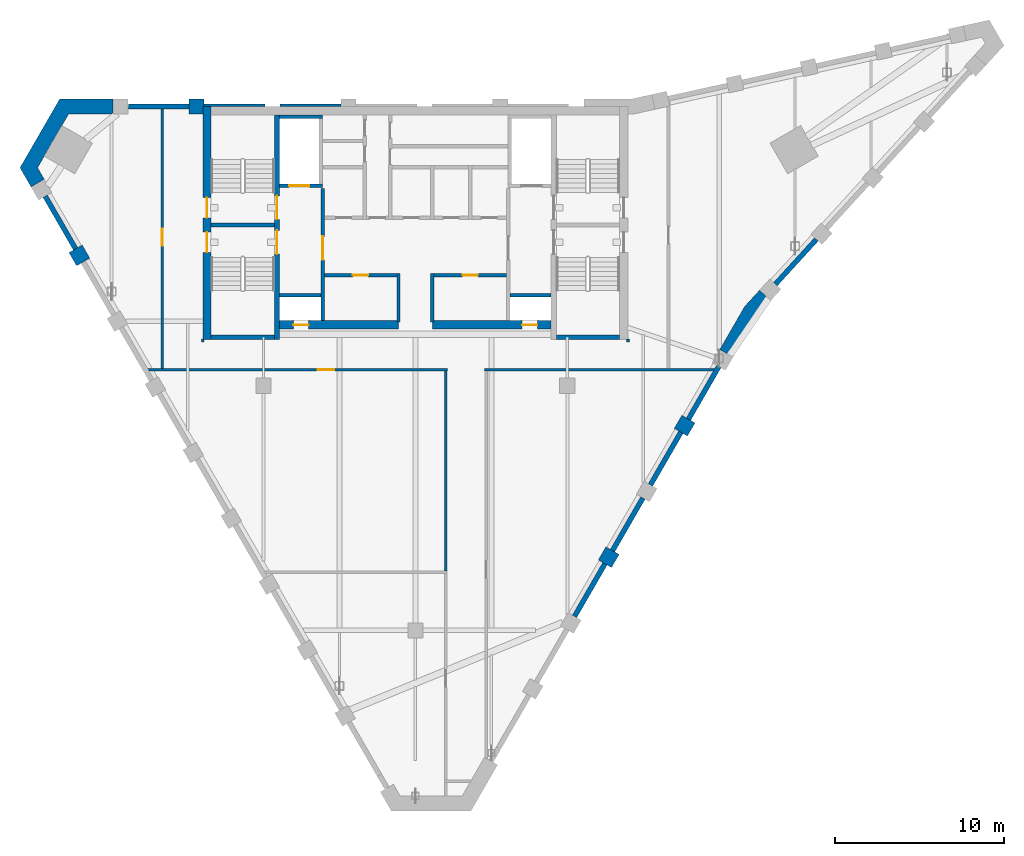
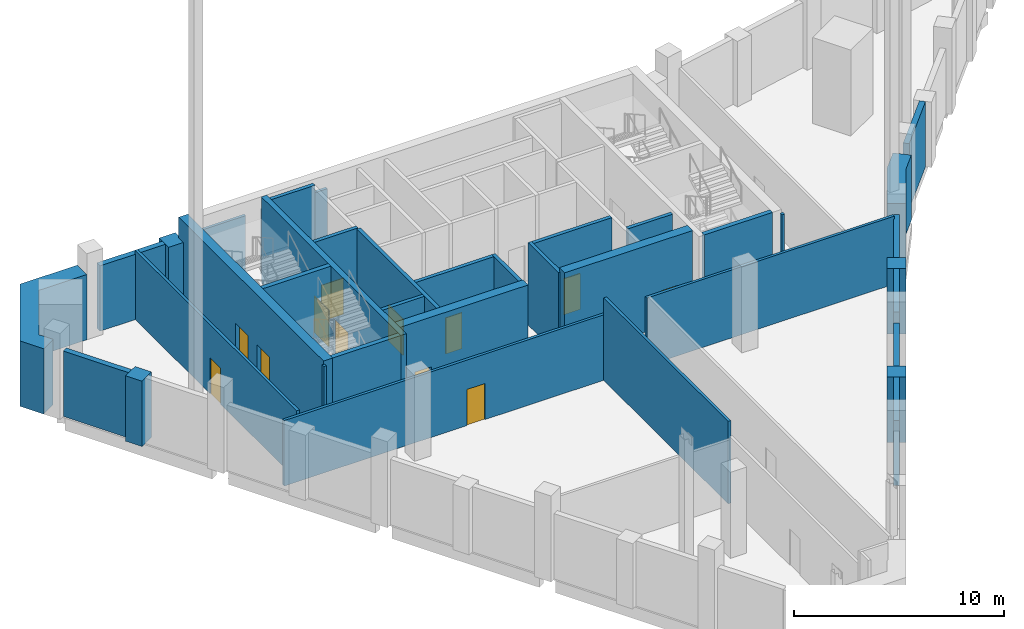
# One storey, part 5 of 11: 37 walls, 12 doors, 12 openings.
"""IFC4 building model written with IfcOpenShell, lengths in metres."""

from ifc_helpers import new_model, si_unit, direction, frame, frame_2d, origin, place, context, subcontext, project, spatial, polyline, rectangle, outline, extrude, material, layer, layer_set, type_object, element, fill, save


model = new_model("IFC4")

# Units and contexts
model_context = context("Model", 3, precision=1e-05, world=origin(), true_north=direction((0.0, 1.0)))
body_context = subcontext(model_context, "Body", "Model", "MODEL_VIEW")
ifc_project = project(units=[si_unit("LENGTHUNIT", "METRE"), si_unit("AREAUNIT", "SQUARE_METRE"), si_unit("VOLUMEUNIT", "CUBIC_METRE"), si_unit("PLANEANGLEUNIT", "RADIAN"), si_unit("MASSUNIT", "GRAM", prefix="KILO")], contexts=[model_context])

# Site, building, storey
site_placement = place(None, origin())
site = spatial("IfcSite", under=ifc_project, at=site_placement, CompositionType="ELEMENT")
building_placement = place(site_placement, origin())
building = spatial("IfcBuilding", under=site, at=building_placement, Name="Calabash Gate Tower", CompositionType="ELEMENT")
storey_placement = place(building_placement, frame((0.0, 0.0, 310.5)))
storey = spatial("IfcBuildingStorey", under=building, at=storey_placement, Name="L73", CompositionType="ELEMENT", Elevation=310.5)

# Walls
ifc_material_1 = material(Name="Terracotta brick masonry, exposed face", Category="masonry")
ifc_layer_1 = layer(ifc_material_1, 0.89990234375)
ifc_layer_set_1 = layer_set([ifc_layer_1], Name="Brick end wall 900")
wall_type_1 = type_object("IfcWallType", Name="Brick end wall 900", PredefinedType="SOLIDWALL", material=ifc_layer_set_1)
wall_1_placement = place(storey_placement, frame((-20.301513671875, 9.998046875, 0.0), z_axis=(0.0, 0.0, 1.0), x_axis=(0.866013897511, 0.50001992892, 0.0)))
element("IfcWall", 1, at=wall_1_placement, inside=storey, type_object=wall_type_1, Name="Brick pier L73 crown1.1", PredefinedType="SOLIDWALL", context=body_context, shape_type="SweptSolid", body=[
    extrude(rectangle(XDim=0.89990234375, YDim=0.89990234375, at=frame_2d((0.449951171875, 0.0))), origin(), (0.0, 0.0, 1.0), 3.800048828125),
])
for number, where, z_axis, x_axis, name in (
    (2, (11.068115234375, -7.436767578125, 0.0), (0.0, 0.0, 1.0), (0.866081705922, -0.499902469156, 0.0), "Brick pier L73 crown3.3"),
    (3, (15.568115234375, 0.357421875, 0.0), (0.0, 0.0, 1.0), (0.866081705922, -0.499902469156, 0.0), "Brick pier L73 crown3.5"),
):
    element("IfcWall", number, at=place(storey_placement, frame(where, z_axis=z_axis, x_axis=x_axis)), inside=storey, type_object=wall_type_1, Name=name, PredefinedType="SOLIDWALL", context=body_context, shape_type="SweptSolid", body=[
        extrude(rectangle(XDim=0.900146484375, YDim=0.89990234375, at=frame_2d((0.4501953125, 0.0))), origin(), (0.0, 0.0, 1.0), 3.800048828125),
    ])
wall_2_placement = place(storey_placement, origin())
element("IfcWall", 4, at=wall_2_placement, inside=storey, type_object=wall_type_1, Name="Brick pier L73 crown7.5", PredefinedType="SOLIDWALL", context=body_context, shape_type="SweptSolid", body=[
    extrude(outline(polyline([(-13.415771484375, 19.50244140625), (-13.415771484375, 18.6025390625), (-12.60009765625, 18.6025390625), (-12.60009765625, 19.052490234375), (-12.515625, 19.052490234375), (-12.515625, 19.50244140625), (-13.415771484375, 19.50244140625)])), origin(), (0.0, 0.0, 1.0), 3.800048828125),
])
wall_3_placement = place(storey_placement, origin())
element("IfcWall", 5, at=wall_3_placement, inside=storey, type_object=wall_type_1, Name="Brick end wall L73 2", PredefinedType="SOLIDWALL", context=body_context, shape_type="SweptSolid", body=[
    extrude(outline(polyline([(18.822509765625, 4.1943359375), (18.822509765625, 4.1943359375), (20.24658203125, 6.66064453125), (21.058837890625, 7.548828125), (20.394775390625, 8.15625), (19.516357421875, 7.19580078125), (18.04345703125, 4.64453125), (18.82275390625, 4.19482421875), (18.822509765625, 4.1943359375)])), origin(), (0.0, 0.0, 1.0), 3.800048828125),
])
wall_4_placement = place(storey_placement, origin())
element("IfcWall", 6, at=wall_4_placement, inside=storey, type_object=wall_type_1, Name="Brick end wall L73 5", PredefinedType="SOLIDWALL", context=body_context, shape_type="SweptSolid", body=[
    extrude(outline(polyline([(-17.915771484375, 18.6025390625), (-17.916015625, 19.50244140625), (-21.072509765625, 19.50244140625), (-23.430908203125, 15.41796875), (-22.776611328125, 14.28466796875), (-21.9970703125, 14.73486328125), (-22.3916015625, 15.41796875), (-20.552978515625, 18.6025390625), (-17.915771484375, 18.6025390625)])), origin(), (0.0, 0.0, 1.0), 3.800048828125),
])
ifc_material_2 = material(Name="Gypsum board on steel studs, mineral wool", Category="steel")
ifc_layer_2 = layer(ifc_material_2, 0.199951171875)
ifc_layer_set_2 = layer_set([ifc_layer_2], Name="Core partition 200 gypsum board")
wall_type_2 = type_object("IfcWallType", Name="Core partition 200 gypsum board", PredefinedType="PARTITIONING", material=ifc_layer_set_2)
for number, where, z_axis, x_axis, name in (
    (7, (-1.0, 6.272705078125, 0.0), (0.0, 0.0, 1.0), (0.0, 1.0, 0.0), "Core partition"),
    (8, (1.0, 6.272705078125, 0.0), (0.0, 0.0, 1.0), (0.0, 1.0, 0.0), "Core partition"),
):
    element("IfcWall", number, at=place(storey_placement, frame(where, z_axis=z_axis, x_axis=x_axis)), inside=storey, type_object=wall_type_2, Name=name, PredefinedType="PARTITIONING", context=body_context, shape_type="SweptSolid", body=[
        extrude(rectangle(XDim=2.8798828125, YDim=0.199951171875, at=frame_2d((1.43994140625, 0.0))), origin(), (0.0, 0.0, 1.0), 4.800048828125),
    ])

# Wall, opening, door
wall_5_placement = place(storey_placement, frame((-5.39990234375, 9.052490234375, 0.0), z_axis=(0.0, 0.0, 1.0), x_axis=(1.0, 0.0, 0.0)))
wall_5 = element("IfcWall", 9, at=wall_5_placement, inside=storey, type_object=wall_type_2, Name="Core partition", PredefinedType="PARTITIONING", context=body_context, shape_type="SweptSolid", body=[
    extrude(rectangle(XDim=4.2998046875, YDim=0.199951171875, at=frame_2d((2.14990234375, 0.0))), origin(), (0.0, 0.0, 1.0), 4.800048828125),
])
opening_1_placement = place(wall_5_placement, frame((1.699951171875, 0.0, 0.0)))
opening_1 = element("IfcOpeningElement", 10, at=opening_1_placement, cuts=wall_5, Name="Opening L73-016", PredefinedType="OPENING", context=body_context, shape_type="SweptSolid", body=[
    extrude(rectangle(XDim=0.89990234375, YDim=2.10009765625, at=frame_2d((0.449951171875, 1.050048828125))), frame((0.0, 0.10986328125, 0.0), z_axis=(0.0, -1.0, 0.0), x_axis=(1.0, 0.0, 0.0)), (0.0, 0.0, 1.0), 0.219970703125),
])
ifc_material_3 = material(Name="Steel fire door set with fire-resisting glazing", Category="steel")
door_type_1 = type_object("IfcDoorType", Name="Fire door D06 900x2100 FD60", OperationType="NOTDEFINED", PredefinedType="DOOR", material=ifc_material_3)
door_1_placement = place(opening_1_placement, origin())
door_1 = element("IfcDoor", 11, at=door_1_placement, inside=storey, type_object=door_type_1, Name="Plant Spares Store door", OperationType="SINGLE_SWING_RIGHT", OverallHeight=2.10009765625, OverallWidth=0.89990234375, PredefinedType="DOOR", context=body_context, shape_type="SweptSolid", body=[
    extrude(rectangle(XDim=0.89990234375, YDim=2.10009765625, at=frame_2d((0.449951171875, 1.050048828125))), frame((0.0, 0.02490234375, 0.0), z_axis=(0.0, -1.0, 0.0), x_axis=(1.0, 0.0, 0.0)), (0.0, 0.0, 1.0), 0.050048828125),
])
fill(opening_1, door_1)

wall_6_placement = place(storey_placement, frame((1.10009765625, 9.052490234375, 0.0), z_axis=(0.0, 0.0, 1.0), x_axis=(1.0, 0.0, 0.0)))
wall_6 = element("IfcWall", 12, at=wall_6_placement, inside=storey, type_object=wall_type_2, Name="Core partition", PredefinedType="PARTITIONING", context=body_context, shape_type="SweptSolid", body=[
    extrude(rectangle(XDim=4.2998046875, YDim=0.199951171875, at=frame_2d((2.14990234375, 0.0))), origin(), (0.0, 0.0, 1.0), 4.800048828125),
])
opening_2_placement = place(wall_6_placement, frame((1.699951171875, 0.0, 0.0)))
opening_2 = element("IfcOpeningElement", 13, at=opening_2_placement, cuts=wall_6, Name="Opening L73-017", PredefinedType="OPENING", context=body_context, shape_type="SweptSolid", body=[
    extrude(rectangle(XDim=0.89990234375, YDim=2.10009765625, at=frame_2d((0.449951171875, 1.050048828125))), frame((0.0, 0.10986328125, 0.0), z_axis=(0.0, -1.0, 0.0), x_axis=(1.0, 0.0, 0.0)), (0.0, 0.0, 1.0), 0.219970703125),
])
door_2_placement = place(opening_2_placement, origin())
door_2 = element("IfcDoor", 14, at=door_2_placement, inside=storey, type_object=door_type_1, Name="Plant Control Room door", OperationType="SINGLE_SWING_LEFT", OverallHeight=2.10009765625, OverallWidth=0.89990234375, PredefinedType="DOOR", context=body_context, shape_type="SweptSolid", body=[
    extrude(rectangle(XDim=0.89990234375, YDim=2.10009765625, at=frame_2d((0.449951171875, 1.050048828125))), frame((0.0, 0.02490234375, 0.0), z_axis=(0.0, -1.0, 0.0), x_axis=(1.0, 0.0, 0.0)), (0.0, 0.0, 1.0), 0.050048828125),
])
fill(opening_2, door_2)

# Walls
ifc_material_4 = material(Name="Concrete C60/75", Category="concrete")
ifc_layer_3 = layer(ifc_material_4, 0.25)
ifc_layer_set_3 = layer_set([ifc_layer_3], Name="Core wall 250 Concrete C60/75")
wall_type_3 = type_object("IfcWallType", Name="Core wall 250 Concrete C60/75", PredefinedType="SHEAR", material=ifc_layer_set_3)
for number, where, z_axis, x_axis, name in (
    (15, (-12.10009765625, 12.027587890625, 0.0), (0.0, 0.0, 1.0), (1.0, 0.0, 0.0), "Core wall C-MIDW L73"),
    (16, (-12.10009765625, 5.377685546875, 0.0), (0.0, 0.0, 1.0), (1.0, 0.0, 0.0), "Core wall C-SSW L73"),
    (17, (8.35009765625, 5.377685546875, 0.0), (0.0, 0.0, 1.0), (1.0, 0.0, 0.0), "Core wall C-SSE L73"),
):
    element("IfcWall", number, at=place(storey_placement, frame(where, z_axis=z_axis, x_axis=x_axis)), inside=storey, type_object=wall_type_3, Name=name, PredefinedType="SHEAR", context=body_context, shape_type="SweptSolid", body=[
        extrude(rectangle(XDim=3.75, YDim=0.25, at=frame_2d((1.875, 0.0))), origin(), (0.0, 0.0, 1.0), 5.0),
    ])

# Wall, openings, doors
ifc_material_5 = material(Name="Concrete C60/75", Category="concrete")
ifc_layer_4 = layer(ifc_material_5, 0.300048828125)
ifc_layer_set_4 = layer_set([ifc_layer_4], Name="Core wall 300 Concrete C60/75")
wall_type_4 = type_object("IfcWallType", Name="Core wall 300 Concrete C60/75", PredefinedType="SHEAR", material=ifc_layer_set_4)
wall_7_placement = place(storey_placement, frame((-8.199951171875, 5.252685546875, 0.0), z_axis=(0.0, 0.0, 1.0), x_axis=(0.0, 1.0, 0.0)))
wall_7 = element("IfcWall", 18, at=wall_7_placement, inside=storey, type_object=wall_type_4, Name="Core wall C-PARTW L73", PredefinedType="SHEAR", context=body_context, shape_type="SweptSolid", body=[
    extrude(rectangle(XDim=13.2998046875, YDim=0.300048828125, at=frame_2d((6.64990234375, 0.0))), origin(), (0.0, 0.0, 1.0), 5.0),
])
opening_3_placement = place(wall_7_placement, frame((7.10009765625, 0.0, 0.0)))
opening_3 = element("IfcOpeningElement", 19, at=opening_3_placement, cuts=wall_7, Name="Opening L73-001", PredefinedType="OPENING", context=body_context, shape_type="SweptSolid", body=[
    extrude(rectangle(XDim=1.39990234375, YDim=2.10009765625, at=frame_2d((0.699951171875, 1.050048828125))), frame((0.0, 0.159912109375, 0.0), z_axis=(0.0, -1.0, 0.0), x_axis=(1.0, 0.0, 0.0)), (0.0, 0.0, 1.0), 0.320068359375),
])
opening_4_placement = place(wall_7_placement, frame((5.050048828125, 0.0, 0.0)))
opening_4 = element("IfcOpeningElement", 20, at=opening_4_placement, cuts=wall_7, Name="Opening L73-002", PredefinedType="OPENING", context=body_context, shape_type="SweptSolid", body=[
    extrude(rectangle(XDim=1.39990234375, YDim=2.10009765625, at=frame_2d((0.699951171875, 1.050048828125))), frame((0.0, 0.159912109375, 0.0), z_axis=(0.0, -1.0, 0.0), x_axis=(1.0, 0.0, 0.0)), (0.0, 0.0, 1.0), 0.320068359375),
])
ifc_material_6 = material(Name="Steel fire door set with fire-resisting glazing", Category="steel")
door_type_2 = type_object("IfcDoorType", Name="Fire door D05 1400x2100 FD90", OperationType="NOTDEFINED", PredefinedType="DOOR", material=ifc_material_6)
door_3_placement = place(opening_3_placement, origin())
door_3 = element("IfcDoor", 21, at=door_3_placement, inside=storey, type_object=door_type_2, Name="Exit stair door ST1", OperationType="SINGLE_SWING_LEFT", OverallHeight=2.10009765625, OverallWidth=1.39990234375, PredefinedType="DOOR", context=body_context, shape_type="SweptSolid", body=[
    extrude(rectangle(XDim=1.39990234375, YDim=2.10009765625, at=frame_2d((0.699951171875, 1.050048828125))), frame((0.0, 0.02490234375, 0.0), z_axis=(0.0, -1.0, 0.0), x_axis=(1.0, 0.0, 0.0)), (0.0, 0.0, 1.0), 0.050048828125),
])
fill(opening_3, door_3)
door_4_placement = place(opening_4_placement, origin())
door_4 = element("IfcDoor", 22, at=door_4_placement, inside=storey, type_object=door_type_2, Name="Exit stair door ST2", OperationType="SINGLE_SWING_LEFT", OverallHeight=2.10009765625, OverallWidth=1.39990234375, PredefinedType="DOOR", context=body_context, shape_type="SweptSolid", body=[
    extrude(rectangle(XDim=1.39990234375, YDim=2.10009765625, at=frame_2d((0.699951171875, 1.050048828125))), frame((0.0, 0.02490234375, 0.0), z_axis=(0.0, -1.0, 0.0), x_axis=(1.0, 0.0, 0.0)), (0.0, 0.0, 1.0), 0.050048828125),
])
fill(opening_4, door_4)

ifc_material_7 = material(Name="Concrete C60/75", Category="concrete")
ifc_layer_5 = layer(ifc_material_7, 0.5)
ifc_layer_set_5 = layer_set([ifc_layer_5], Name="Core wall 500 Concrete C60/75")
wall_type_5 = type_object("IfcWallType", Name="Core wall 500 Concrete C60/75", PredefinedType="SHEAR", material=ifc_layer_set_5)
wall_8_placement = place(storey_placement, frame((-12.35009765625, 5.252685546875, 0.0), z_axis=(0.0, 0.0, 1.0), x_axis=(0.0, 1.0, 0.0)))
wall_8 = element("IfcWall", 23, at=wall_8_placement, inside=storey, type_object=wall_type_5, Name="Core wall C-COLW L73", PredefinedType="SHEAR", context=body_context, shape_type="SweptSolid", body=[
    extrude(rectangle(XDim=13.7998046875, YDim=0.5, at=frame_2d((6.89990234375, 0.0))), origin(), (0.0, 0.0, 1.0), 5.0),
])
opening_5_placement = place(wall_8_placement, frame((7.199951171875, 0.0, 0.0)))
opening_5 = element("IfcOpeningElement", 24, at=opening_5_placement, cuts=wall_8, Name="Opening L73-005", PredefinedType="OPENING", context=body_context, shape_type="SweptSolid", body=[
    extrude(rectangle(XDim=1.199951171875, YDim=2.10009765625, at=frame_2d((0.60009765625, 1.050048828125))), frame((0.0, 0.260009765625, 0.0), z_axis=(0.0, -1.0, 0.0), x_axis=(1.0, 0.0, 0.0)), (0.0, 0.0, 1.0), 0.52001953125),
])
opening_6_placement = place(wall_8_placement, frame((5.14990234375, 0.0, 0.0)))
opening_6 = element("IfcOpeningElement", 25, at=opening_6_placement, cuts=wall_8, Name="Opening L73-006", PredefinedType="OPENING", context=body_context, shape_type="SweptSolid", body=[
    extrude(rectangle(XDim=1.199951171875, YDim=2.10009765625, at=frame_2d((0.60009765625, 1.050048828125))), frame((0.0, 0.260009765625, 0.0), z_axis=(0.0, -1.0, 0.0), x_axis=(1.0, 0.0, 0.0)), (0.0, 0.0, 1.0), 0.52001953125),
])
ifc_material_8 = material(Name="Steel fire door set with fire-resisting glazing", Category="steel")
door_type_3 = type_object("IfcDoorType", Name="Fire door D10 1200x2100 FD90", OperationType="NOTDEFINED", PredefinedType="DOOR", material=ifc_material_8)
door_5_placement = place(opening_5_placement, origin())
door_5 = element("IfcDoor", 26, at=door_5_placement, inside=storey, type_object=door_type_3, Name="Exit stair door ST1", OperationType="SINGLE_SWING_RIGHT", OverallHeight=2.10009765625, OverallWidth=1.199951171875, PredefinedType="DOOR", context=body_context, shape_type="SweptSolid", body=[
    extrude(rectangle(XDim=1.199951171875, YDim=2.10009765625, at=frame_2d((0.60009765625, 1.050048828125))), frame((0.0, 0.02490234375, 0.0), z_axis=(0.0, -1.0, 0.0), x_axis=(1.0, 0.0, 0.0)), (0.0, 0.0, 1.0), 0.050048828125),
])
fill(opening_5, door_5)
door_6_placement = place(opening_6_placement, origin())
door_6 = element("IfcDoor", 27, at=door_6_placement, inside=storey, type_object=door_type_3, Name="Exit stair door ST2", OperationType="SINGLE_SWING_LEFT", OverallHeight=2.10009765625, OverallWidth=1.199951171875, PredefinedType="DOOR", context=body_context, shape_type="SweptSolid", body=[
    extrude(rectangle(XDim=1.199951171875, YDim=2.10009765625, at=frame_2d((0.60009765625, 1.050048828125))), frame((0.0, 0.02490234375, 0.0), z_axis=(0.0, -1.0, 0.0), x_axis=(1.0, 0.0, 0.0)), (0.0, 0.0, 1.0), 0.050048828125),
])
fill(opening_6, door_6)

# Wall, opening, door
wall_9_placement = place(storey_placement, frame((-8.050048828125, 6.1025390625, 0.0), z_axis=(0.0, 0.0, 1.0), x_axis=(1.0, 0.0, 0.0)))
wall_9 = element("IfcWall", 28, at=wall_9_placement, inside=storey, type_object=wall_type_5, Name="Core wall C-SA L73", PredefinedType="SHEAR", context=body_context, shape_type="SweptSolid", body=[
    extrude(rectangle(XDim=7.050048828125, YDim=0.5, at=frame_2d((3.52490234375, 0.0))), origin(), (0.0, 0.0, 1.0), 5.0),
])
opening_7_placement = place(wall_9_placement, frame((0.824951171875, 0.0, 0.0)))
opening_7 = element("IfcOpeningElement", 29, at=opening_7_placement, cuts=wall_9, Name="Opening L73-022", PredefinedType="OPENING", context=body_context, shape_type="SweptSolid", body=[
    extrude(rectangle(XDim=0.89990234375, YDim=2.10009765625, at=frame_2d((0.449951171875, 1.050048828125))), frame((0.0, 0.260009765625, 0.0), z_axis=(0.0, -1.0, 0.0), x_axis=(1.0, 0.0, 0.0)), (0.0, 0.0, 1.0), 0.52001953125),
])
ifc_material_9 = material(Name="Steel fire door set with fire-resisting glazing", Category="steel")
door_type_4 = type_object("IfcDoorType", Name="Fire door D07 900x2100 FD90", OperationType="NOTDEFINED", PredefinedType="DOOR", material=ifc_material_9)
door_7_placement = place(opening_7_placement, origin())
door_7 = element("IfcDoor", 30, at=door_7_placement, inside=storey, type_object=door_type_4, Name="Electrical Riser W door", OperationType="SINGLE_SWING_LEFT", OverallHeight=2.10009765625, OverallWidth=0.89990234375, PredefinedType="DOOR", context=body_context, shape_type="SweptSolid", body=[
    extrude(rectangle(XDim=0.89990234375, YDim=2.10009765625, at=frame_2d((0.449951171875, 1.050048828125))), frame((0.0, 0.02490234375, 0.0), z_axis=(0.0, -1.0, 0.0), x_axis=(1.0, 0.0, 0.0)), (0.0, 0.0, 1.0), 0.050048828125),
])
fill(opening_7, door_7)

wall_10_placement = place(storey_placement, frame((1.0, 6.1025390625, 0.0), z_axis=(0.0, 0.0, 1.0), x_axis=(1.0, 0.0, 0.0)))
wall_10 = element("IfcWall", 31, at=wall_10_placement, inside=storey, type_object=wall_type_5, Name="Core wall C-SB L73", PredefinedType="SHEAR", context=body_context, shape_type="SweptSolid", body=[
    extrude(rectangle(XDim=7.050048828125, YDim=0.5, at=frame_2d((3.52490234375, 0.0))), origin(), (0.0, 0.0, 1.0), 5.0),
])
opening_8_placement = place(wall_10_placement, frame((5.324951171875, 0.0, 0.0)))
opening_8 = element("IfcOpeningElement", 32, at=opening_8_placement, cuts=wall_10, Name="Opening L73-023", PredefinedType="OPENING", context=body_context, shape_type="SweptSolid", body=[
    extrude(rectangle(XDim=0.89990234375, YDim=2.10009765625, at=frame_2d((0.449951171875, 1.050048828125))), frame((0.0, 0.260009765625, 0.0), z_axis=(0.0, -1.0, 0.0), x_axis=(1.0, 0.0, 0.0)), (0.0, 0.0, 1.0), 0.52001953125),
])
door_8_placement = place(opening_8_placement, origin())
door_8 = element("IfcDoor", 33, at=door_8_placement, inside=storey, type_object=door_type_4, Name="Mechanical Riser E door", OperationType="SINGLE_SWING_RIGHT", OverallHeight=2.10009765625, OverallWidth=0.89990234375, PredefinedType="DOOR", context=body_context, shape_type="SweptSolid", body=[
    extrude(rectangle(XDim=0.89990234375, YDim=2.10009765625, at=frame_2d((0.449951171875, 1.050048828125))), frame((0.0, 0.02490234375, 0.0), z_axis=(0.0, -1.0, 0.0), x_axis=(1.0, 0.0, 0.0)), (0.0, 0.0, 1.0), 0.050048828125),
])
fill(opening_8, door_8)

# Wall
ifc_material_10 = material(Name="Gypsum board on steel studs, mineral wool", Category="steel")
ifc_layer_6 = layer(ifc_material_10, 0.14990234375)
ifc_layer_set_6 = layer_set([ifc_layer_6], Name="Partition 150 gypsum board")
wall_type_6 = type_object("IfcWallType", Name="Partition 150 gypsum board", PredefinedType="PARTITIONING", material=ifc_layer_set_6)
wall_11_placement = place(storey_placement, frame((1.800048828125, -8.472412109375, 0.0), z_axis=(0.0, 0.0, 1.0), x_axis=(0.0, 1.0, 0.0)))
element("IfcWall", 34, at=wall_11_placement, inside=storey, type_object=wall_type_6, Name="Partition", PredefinedType="PARTITIONING", context=body_context, shape_type="SweptSolid", body=[
    extrude(rectangle(XDim=11.85009765625, YDim=0.14990234375, at=frame_2d((5.925048828125, 0.0))), origin(), (0.0, 0.0, 1.0), 4.800048828125),
])

# Wall, opening, door
wall_12_placement = place(storey_placement, frame((-15.849853515625, 3.45263671875, 0.0), z_axis=(0.0, 0.0, 1.0), x_axis=(1.0, 0.0, 0.0)))
wall_12 = element("IfcWall", 35, at=wall_12_placement, inside=storey, type_object=wall_type_6, Name="Partition", PredefinedType="PARTITIONING", context=body_context, shape_type="SweptSolid", body=[
    extrude(rectangle(XDim=17.7548828125, YDim=0.14990234375, at=frame_2d((8.87744140625, 0.0))), origin(), (0.0, 0.0, 1.0), 3.811767578125),
])
opening_9_placement = place(wall_12_placement, frame((10.0498046875, 0.0, 0.0)))
opening_9 = element("IfcOpeningElement", 36, at=opening_9_placement, cuts=wall_12, Name="Opening L73-026", PredefinedType="OPENING", context=body_context, shape_type="SweptSolid", body=[
    extrude(rectangle(XDim=1.0, YDim=2.10009765625, at=frame_2d((0.5, 1.050048828125))), frame((0.0, 0.0849609375, 0.0), z_axis=(0.0, -1.0, 0.0), x_axis=(1.0, 0.0, 0.0)), (0.0, 0.0, 1.0), 0.169921875),
])
ifc_material_11 = material(Name="Steel fire door set with fire-resisting glazing", Category="steel")
door_type_5 = type_object("IfcDoorType", Name="Fire door D11 1000x2100 FD60", OperationType="NOTDEFINED", PredefinedType="DOOR", material=ifc_material_11)
door_9_placement = place(opening_9_placement, origin())
door_9 = element("IfcDoor", 37, at=door_9_placement, inside=storey, type_object=door_type_5, Name="Mechanical Lift Machine Room door", OperationType="SINGLE_SWING_RIGHT", OverallHeight=2.10009765625, OverallWidth=1.0, PredefinedType="DOOR", context=body_context, shape_type="SweptSolid", body=[
    extrude(rectangle(XDim=1.0, YDim=2.10009765625, at=frame_2d((0.5, 1.050048828125))), frame((0.0, 0.02490234375, 0.0), z_axis=(0.0, -1.0, 0.0), x_axis=(1.0, 0.0, 0.0)), (0.0, 0.0, 1.0), 0.050048828125),
])
fill(opening_9, door_9)

# Wall
wall_13_placement = place(storey_placement, frame((4.094970703125, 3.45263671875, 0.0), z_axis=(0.0, 0.0, 1.0), x_axis=(1.0, 0.0, 0.0)))
element("IfcWall", 38, at=wall_13_placement, inside=storey, type_object=wall_type_6, Name="Partition", PredefinedType="PARTITIONING", context=body_context, shape_type="SweptSolid", body=[
    extrude(rectangle(XDim=13.626708984375, YDim=0.14990234375, at=frame_2d((6.8134765625, 0.0))), origin(), (0.0, 0.0, 1.0), 3.9541015625),
])

# Wall, opening, door
wall_14_placement = place(storey_placement, frame((-15.0, 3.527587890625, 0.0), z_axis=(0.0, 0.0, 1.0), x_axis=(0.0, 1.0, 0.0)))
wall_14 = element("IfcWall", 39, at=wall_14_placement, inside=storey, type_object=wall_type_6, Name="Partition", PredefinedType="PARTITIONING", context=body_context, shape_type="SweptSolid", body=[
    extrude(rectangle(XDim=15.39501953125, YDim=0.14990234375, at=frame_2d((7.697509765625, 0.0))), origin(), (0.0, 0.0, 1.0), 4.02001953125),
])
opening_10_placement = place(wall_14_placement, frame((7.27490234375, 0.0, 0.0)))
opening_10 = element("IfcOpeningElement", 40, at=opening_10_placement, cuts=wall_14, Name="Opening L73-024", PredefinedType="OPENING", context=body_context, shape_type="SweptSolid", body=[
    extrude(rectangle(XDim=1.0, YDim=2.10009765625, at=frame_2d((0.5, 1.050048828125))), frame((0.0, 0.0849609375, 0.0), z_axis=(0.0, -1.0, 0.0), x_axis=(1.0, 0.0, 0.0)), (0.0, 0.0, 1.0), 0.169921875),
])
door_10_placement = place(opening_10_placement, origin())
door_10 = element("IfcDoor", 41, at=door_10_placement, inside=storey, type_object=door_type_5, Name="Mechanical Lift Machine Room door", OperationType="SINGLE_SWING_LEFT", OverallHeight=2.10009765625, OverallWidth=1.0, PredefinedType="DOOR", context=body_context, shape_type="SweptSolid", body=[
    extrude(rectangle(XDim=1.0, YDim=2.10009765625, at=frame_2d((0.5, 1.050048828125))), frame((0.0, 0.02490234375, 0.0), z_axis=(0.0, -1.0, 0.0), x_axis=(1.0, 0.0, 0.0)), (0.0, 0.0, 1.0), 0.050048828125),
])
fill(opening_10, door_10)

# Walls
for number, where, z_axis, x_axis, name in (
    (42, (-12.60009765625, 5.09765625, 0.0), (0.0, 0.0, 1.0), (0.0, 1.0, 0.0), "Partition"),
    (43, (12.60009765625, 5.09765625, 0.0), (0.0, 0.0, 1.0), (0.0, 1.0, 0.0), "Partition"),
):
    element("IfcWall", number, at=place(storey_placement, frame(where, z_axis=z_axis, x_axis=x_axis)), inside=storey, type_object=wall_type_6, Name=name, PredefinedType="PARTITIONING", context=body_context, shape_type="SweptSolid", body=[
        extrude(rectangle(XDim=0.179931640625, YDim=0.14990234375, at=frame_2d((0.08984375, 0.0))), origin(), (0.0, 0.0, 1.0), 4.800048828125),
    ])

# Wall, opening, door
ifc_material_12 = material(Name="Concrete C40/50", Category="concrete")
ifc_layer_7 = layer(ifc_material_12, 0.199951171875)
ifc_layer_set_7 = layer_set([ifc_layer_7], Name="Shaft wall 200 Concrete C40/50")
wall_type_7 = type_object("IfcWallType", Name="Shaft wall 200 Concrete C40/50", PredefinedType="SOLIDWALL", material=ifc_layer_set_7)
wall_15_placement = place(storey_placement, frame((-5.5, 6.3525390625, 0.0), z_axis=(0.0, 0.0, 1.0), x_axis=(0.0, 1.0, 0.0)))
wall_15 = element("IfcWall", 44, at=wall_15_placement, inside=storey, type_object=wall_type_7, Name="Shaft wall", PredefinedType="SOLIDWALL", context=body_context, shape_type="SweptSolid", body=[
    extrude(rectangle(XDim=7.85009765625, YDim=0.199951171875, at=frame_2d((3.925048828125, 0.0))), origin(), (0.0, 0.0, 1.0), 4.800048828125),
])
opening_11_placement = place(wall_15_placement, frame((3.60009765625, 0.0, 0.0)))
opening_11 = element("IfcOpeningElement", 45, at=opening_11_placement, cuts=wall_15, Name="Opening L73-010", PredefinedType="OPENING", context=body_context, shape_type="SweptSolid", body=[
    extrude(rectangle(XDim=1.39990234375, YDim=2.10009765625, at=frame_2d((0.699951171875, 1.050048828125))), frame((0.0, 0.10986328125, 0.0), z_axis=(0.0, -1.0, 0.0), x_axis=(1.0, 0.0, 0.0)), (0.0, 0.0, 1.0), 0.219970703125),
])
door_11_placement = place(opening_11_placement, origin())
door_11 = element("IfcDoor", 46, at=door_11_placement, inside=storey, type_object=door_type_2, Name="Firefighting Lobby W door", OperationType="SINGLE_SWING_RIGHT", OverallHeight=2.10009765625, OverallWidth=1.39990234375, PredefinedType="DOOR", context=body_context, shape_type="SweptSolid", body=[
    extrude(rectangle(XDim=1.39990234375, YDim=2.10009765625, at=frame_2d((0.699951171875, 1.050048828125))), frame((0.0, 0.02490234375, 0.0), z_axis=(0.0, -1.0, 0.0), x_axis=(1.0, 0.0, 0.0)), (0.0, 0.0, 1.0), 0.050048828125),
])
fill(opening_11, door_11)

# Walls
for number, where, z_axis, x_axis, name in (
    (47, (-8.050048828125, 7.8525390625, 0.0), (0.0, 0.0, 1.0), (1.0, 0.0, 0.0), "Shaft wall"),
    (48, (5.60009765625, 7.8525390625, 0.0), (0.0, 0.0, 1.0), (1.0, 0.0, 0.0), "Shaft wall"),
):
    element("IfcWall", number, at=place(storey_placement, frame(where, z_axis=z_axis, x_axis=x_axis)), inside=storey, type_object=wall_type_7, Name=name, PredefinedType="SOLIDWALL", context=body_context, shape_type="SweptSolid", body=[
        extrude(rectangle(XDim=2.449951171875, YDim=0.199951171875, at=frame_2d((1.22509765625, 0.0))), origin(), (0.0, 0.0, 1.0), 4.800048828125),
    ])

# Wall, opening, door
wall_16_placement = place(storey_placement, frame((-8.050048828125, 14.3525390625, 0.0), z_axis=(0.0, 0.0, 1.0), x_axis=(1.0, 0.0, 0.0)))
wall_16 = element("IfcWall", 49, at=wall_16_placement, inside=storey, type_object=wall_type_7, Name="Shaft wall", PredefinedType="SOLIDWALL", context=body_context, shape_type="SweptSolid", body=[
    extrude(rectangle(XDim=2.550048828125, YDim=0.199951171875, at=frame_2d((1.27490234375, 0.0))), origin(), (0.0, 0.0, 1.0), 4.800048828125),
])
opening_12_placement = place(wall_16_placement, frame((0.574951171875, 0.0, 0.0)))
opening_12 = element("IfcOpeningElement", 50, at=opening_12_placement, cuts=wall_16, Name="Opening LD-FF1", PredefinedType="OPENING", context=body_context, shape_type="SweptSolid", body=[
    extrude(rectangle(XDim=1.199951171875, YDim=2.10009765625, at=frame_2d((0.60009765625, 1.050048828125))), frame((0.0, 0.10986328125, 0.0), z_axis=(0.0, -1.0, 0.0), x_axis=(1.0, 0.0, 0.0)), (0.0, 0.0, 1.0), 0.219970703125),
])
ifc_material_13 = material(Name="Stainless steel sliding door leaves", Category="steel")
door_type_6 = type_object("IfcDoorType", Name="Lift landing door LS3 1200x2100 FD90", OperationType="DOUBLE_DOOR_SLIDING", PredefinedType="DOOR", material=ifc_material_13)
door_12_placement = place(opening_12_placement, origin())
door_12 = element("IfcDoor", 51, at=door_12_placement, inside=storey, type_object=door_type_6, Name="Lift landing door FF1", OperationType="DOUBLE_DOOR_SLIDING", OverallHeight=2.10009765625, OverallWidth=1.199951171875, PredefinedType="DOOR", context=body_context, shape_type="SweptSolid", body=[
    extrude(rectangle(XDim=1.199951171875, YDim=2.10009765625, at=frame_2d((0.60009765625, 1.050048828125))), frame((0.0, 0.02490234375, 0.0), z_axis=(0.0, -1.0, 0.0), x_axis=(1.0, 0.0, 0.0)), (0.0, 0.0, 1.0), 0.050048828125),
])
fill(opening_12, door_12)

# Walls
wall_17_placement = place(storey_placement, frame((-8.050048828125, 18.45263671875, 0.0), z_axis=(0.0, 0.0, 1.0), x_axis=(1.0, 0.0, 0.0)))
element("IfcWall", 52, at=wall_17_placement, inside=storey, type_object=wall_type_7, Name="Shaft wall", PredefinedType="SOLIDWALL", context=body_context, shape_type="SweptSolid", body=[
    extrude(rectangle(XDim=2.550048828125, YDim=0.199951171875, at=frame_2d((1.27490234375, 0.0))), origin(), (0.0, 0.0, 1.0), 4.800048828125),
])
ifc_material_14 = material(Name="Terracotta louvre blades in an aluminium frame", Category="masonry")
ifc_layer_8 = layer(ifc_material_14, 0.300048828125)
ifc_layer_set_8 = layer_set([ifc_layer_8], Name="Terracotta louvre wall 300")
wall_type_8 = type_object("IfcWallType", Name="Terracotta louvre wall 300", PredefinedType="ELEMENTEDWALL", material=ifc_layer_set_8)
for number, where, z_axis, x_axis, name in (
    (53, (-21.936767578125, 13.73046875, 0.0), (0.0, 0.0, 1.0), (0.499931829785, -0.866064758299, 0.0), "LOUVRE L73 crown1.1"),
    (54, (9.432861328125, -11.169189453125, 0.0), (0.0, 0.0, 1.0), (0.500012057535, 0.866018442252, 0.0), "LOUVRE L73 crown3.3"),
    (55, (11.682861328125, -7.272216796875, 0.0), (0.0, 0.0, 1.0), (0.500012057535, 0.866018442252, 0.0), "LOUVRE L73 crown3.4"),
):
    element("IfcWall", number, at=place(storey_placement, frame(where, z_axis=z_axis, x_axis=x_axis)), inside=storey, type_object=wall_type_8, Name=name, PredefinedType="ELEMENTEDWALL", context=body_context, shape_type="SweptSolid", body=[
        extrude(rectangle(XDim=3.60009765625, YDim=0.300048828125, at=frame_2d((1.800048828125, 0.0))), origin(), (0.0, 0.0, 1.0), 3.800048828125),
    ])
wall_18_placement = place(storey_placement, origin())
element("IfcWall", 56, at=wall_18_placement, inside=storey, type_object=wall_type_8, Name="LOUVRE L73 crown3.5", PredefinedType="ELEMENTEDWALL", context=body_context, shape_type="SweptSolid", body=[
    extrude(outline(polyline([(15.60302734375, -0.182373046875), (13.8037109375, -3.298583984375), (14.0634765625, -3.44873046875), (15.86279296875, -0.332275390625), (15.60302734375, -0.182373046875)])), origin(), (0.0, 0.0, 1.0), 3.800048828125),
])
wall_19_placement = place(storey_placement, frame((16.182861328125, 0.522216796875, 0.0), z_axis=(0.0, 0.0, 1.0), x_axis=(0.500012057535, 0.866018442252, 0.0)))
element("IfcWall", 57, at=wall_19_placement, inside=storey, type_object=wall_type_8, Name="LOUVRE L73 crown3.6", PredefinedType="ELEMENTEDWALL", context=body_context, shape_type="SweptSolid", body=[
    extrude(rectangle(XDim=3.60009765625, YDim=0.300048828125, at=frame_2d((1.800048828125, 0.0))), origin(), (0.0, 0.0, 1.0), 3.800048828125),
])
wall_20_placement = place(storey_placement, origin())
element("IfcWall", 58, at=wall_20_placement, inside=storey, type_object=wall_type_8, Name="LOUVRE L73 crown4.1", PredefinedType="ELEMENTEDWALL", context=body_context, shape_type="SweptSolid", body=[
    extrude(outline(polyline([(23.653076171875, 11.274658203125), (21.224853515625, 8.619384765625), (21.4462890625, 8.4169921875), (23.874267578125, 11.072265625), (23.653076171875, 11.274658203125)])), origin(), (0.0, 0.0, 1.0), 3.800048828125),
])
wall_21_placement = place(storey_placement, origin())
element("IfcWall", 59, at=wall_21_placement, inside=storey, type_object=wall_type_8, Name="LOUVRE L73 crown7.4", PredefinedType="ELEMENTEDWALL", context=body_context, shape_type="SweptSolid", body=[
    extrude(outline(polyline([(-4.415771484375, 19.20263671875), (-8.015625, 19.20263671875), (-8.015625, 19.052490234375), (-4.415771484375, 19.052490234375), (-4.415771484375, 19.20263671875)])), origin(), (0.0, 0.0, 1.0), 3.800048828125),
])
wall_22_placement = place(storey_placement, origin())
element("IfcWall", 60, at=wall_22_placement, inside=storey, type_object=wall_type_8, Name="LOUVRE L73 crown7.5", PredefinedType="ELEMENTEDWALL", context=body_context, shape_type="SweptSolid", body=[
    extrude(outline(polyline([(-8.915771484375, 19.20263671875), (-12.515625, 19.20263671875), (-12.515625, 19.052490234375), (-8.915771484375, 19.052490234375), (-8.915771484375, 19.20263671875)])), origin(), (0.0, 0.0, 1.0), 3.800048828125),
])
wall_23_placement = place(storey_placement, frame((-13.415771484375, 19.052490234375, 0.0), z_axis=(0.0, 0.0, 1.0), x_axis=(-1.0, 0.0, 0.0)))
element("IfcWall", 61, at=wall_23_placement, inside=storey, type_object=wall_type_8, Name="LOUVRE L73 crown7.6", PredefinedType="ELEMENTEDWALL", context=body_context, shape_type="SweptSolid", body=[
    extrude(rectangle(XDim=3.599853515625, YDim=0.300048828125, at=frame_2d((1.7998046875, 0.0))), origin(), (0.0, 0.0, 1.0), 3.800048828125),
])

save(model, "model.ifc")
